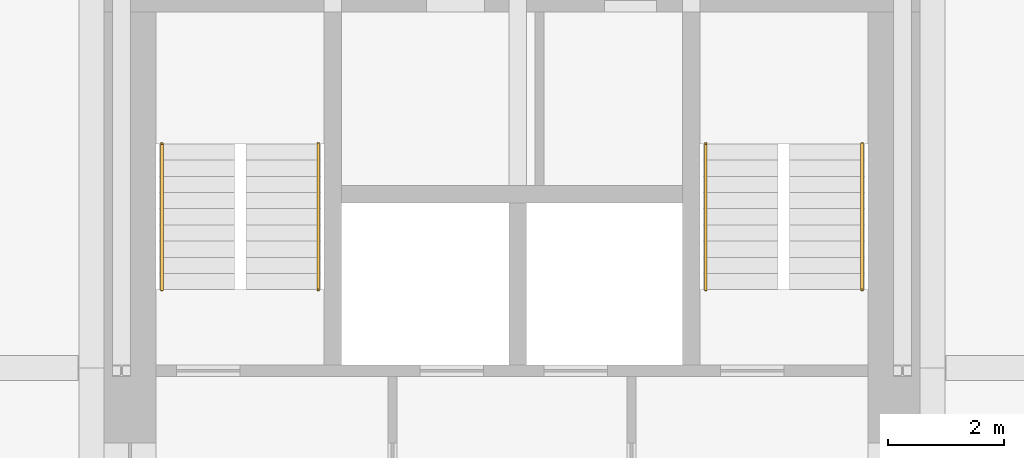
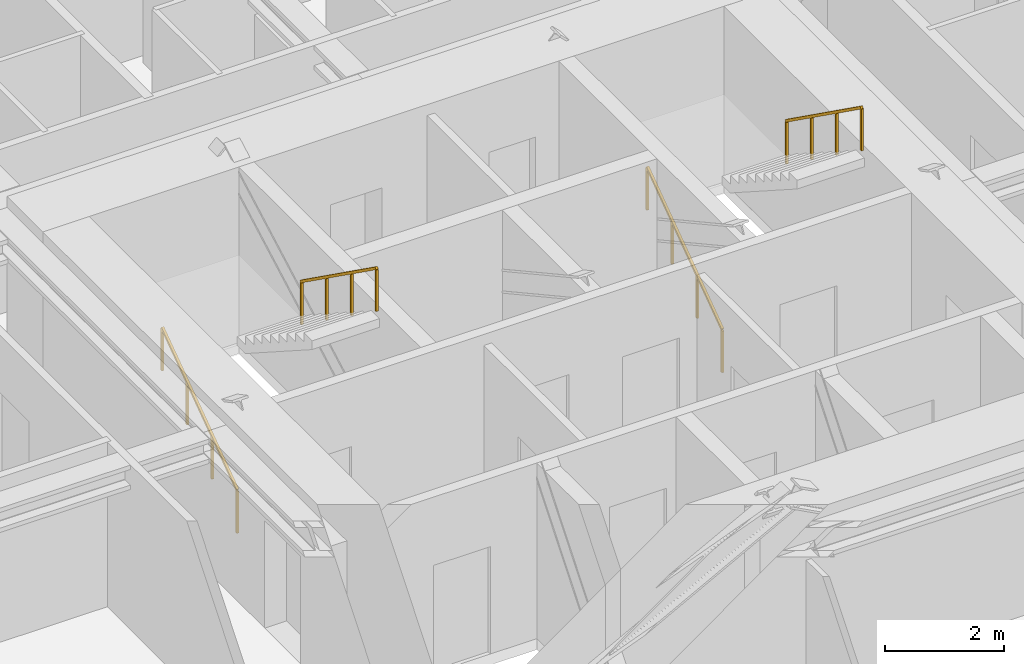
# One storey, part 8 of 8: 4 railings.
"""IFC4 building model written with IfcOpenShell, lengths in metres."""

from ifc_helpers import new_model, si_unit, direction, frame, origin, origin_2d, place, context, subcontext, project, spatial, rectangle, extrude, material, type_object, element, save


model = new_model("IFC4")

# Units and contexts
model_context = context("Model", 3, precision=1e-05, world=origin(), true_north=direction((0.0, 1.0)))
body_context = subcontext(model_context, "Body", "Model", "MODEL_VIEW")
ifc_project = project(units=[si_unit("LENGTHUNIT", "METRE"), si_unit("AREAUNIT", "SQUARE_METRE"), si_unit("VOLUMEUNIT", "CUBIC_METRE"), si_unit("PLANEANGLEUNIT", "RADIAN"), si_unit("MASSUNIT", "GRAM", prefix="KILO")], contexts=[model_context])

# Site, building, storey
site_placement = place(None, origin())
site = spatial("IfcSite", under=ifc_project, at=site_placement, CompositionType="ELEMENT")
building_placement = place(site_placement, origin())
building = spatial("IfcBuilding", under=site, at=building_placement, Name="Nyansa Garden Tower", CompositionType="ELEMENT")
storey_placement = place(building_placement, frame((0.0, 0.0, 222.300048828125)))
storey = spatial("IfcBuildingStorey", under=building, at=storey_placement, Name="L60", CompositionType="ELEMENT", Elevation=222.300048828125)

# Railings
ifc_material = material(Name="Black powder-coated steel tube 48 mm", Category="steel")
railing_type = type_object("IfcRailingType", Name="Stair handrail HR1", PredefinedType="HANDRAIL", material=ifc_material)
railing_1_placement = place(storey_placement, frame((14.199951171875, 21.60009765625, 0.0)))
element("IfcRailing", 1, at=railing_1_placement, inside=storey, type_object=railing_type, Name="Stair S1 handrail L60", PredefinedType="HANDRAIL", context=body_context, shape_type="SweptSolid", body=[
    extrude(rectangle(XDim=0.048095703125, YDim=0.048095703125, at=origin_2d()), frame((0.0, 0.0, 0.8759765625), z_axis=(0.0, 0.813728144527, 0.581245650998), x_axis=(-1.0, 0.0, 0.0)), (0.0, 0.0, 1.0), 3.096923828125),
    extrude(rectangle(XDim=0.0419921875, YDim=0.0419921875, at=origin_2d()), origin(), (0.0, 0.0, 1.0), 0.851806640625),
    extrude(rectangle(XDim=0.0419921875, YDim=0.0419921875, at=origin_2d()), frame((0.0, 0.840087890625, 0.60009765625)), (0.0, 0.0, 1.0), 0.851806640625),
    extrude(rectangle(XDim=0.0419921875, YDim=0.0419921875, at=origin_2d()), frame((0.0, 1.679931640625, 1.199951171875)), (0.0, 0.0, 1.0), 0.851806640625),
    extrude(rectangle(XDim=0.0419921875, YDim=0.0419921875, at=origin_2d()), frame((0.0, 2.52001953125, 1.800048828125)), (0.0, 0.0, 1.0), 0.851806640625),
])
railing_2_placement = place(storey_placement, frame((16.89990234375, 24.1201171875, 1.800048828125)))
element("IfcRailing", 2, at=railing_2_placement, inside=storey, type_object=railing_type, Name="Stair S1 handrail L60", PredefinedType="HANDRAIL", context=body_context, shape_type="SweptSolid", body=[
    extrude(rectangle(XDim=0.048095703125, YDim=0.048095703125, at=origin_2d()), frame((0.0, 0.0, 0.8759765625), z_axis=(0.0, -0.813765431312, 0.581193446971), x_axis=(1.0, 0.0, 0.0)), (0.0, 0.0, 1.0), 3.0966796875),
    extrude(rectangle(XDim=0.0419921875, YDim=0.0419921875, at=origin_2d()), origin(), (0.0, 0.0, 1.0), 0.851806640625),
    extrude(rectangle(XDim=0.0419921875, YDim=0.0419921875, at=origin_2d()), frame((0.0, -0.840087890625, 0.599853515625)), (0.0, 0.0, 1.0), 0.851806640625),
    extrude(rectangle(XDim=0.0419921875, YDim=0.0419921875, at=origin_2d()), frame((0.0, -1.679931640625, 1.199951171875)), (0.0, 0.0, 1.0), 0.851806640625),
    extrude(rectangle(XDim=0.0419921875, YDim=0.0419921875, at=origin_2d()), frame((0.0, -2.52001953125, 1.7998046875)), (0.0, 0.0, 1.0), 0.851806640625),
])
railing_3_placement = place(storey_placement, frame((23.60009765625, 21.60009765625, 0.0)))
element("IfcRailing", 3, at=railing_3_placement, inside=storey, type_object=railing_type, Name="Stair S2 handrail L60", PredefinedType="HANDRAIL", context=body_context, shape_type="SweptSolid", body=[
    extrude(rectangle(XDim=0.048095703125, YDim=0.048095703125, at=origin_2d()), frame((0.0, 0.0, 0.8759765625), z_axis=(0.0, 0.813728144527, 0.581245650998), x_axis=(-1.0, 0.0, 0.0)), (0.0, 0.0, 1.0), 3.096923828125),
    extrude(rectangle(XDim=0.0419921875, YDim=0.0419921875, at=origin_2d()), origin(), (0.0, 0.0, 1.0), 0.851806640625),
    extrude(rectangle(XDim=0.0419921875, YDim=0.0419921875, at=origin_2d()), frame((0.0, 0.840087890625, 0.60009765625)), (0.0, 0.0, 1.0), 0.851806640625),
    extrude(rectangle(XDim=0.0419921875, YDim=0.0419921875, at=origin_2d()), frame((0.0, 1.679931640625, 1.199951171875)), (0.0, 0.0, 1.0), 0.851806640625),
    extrude(rectangle(XDim=0.0419921875, YDim=0.0419921875, at=origin_2d()), frame((0.0, 2.52001953125, 1.800048828125)), (0.0, 0.0, 1.0), 0.851806640625),
])
railing_4_placement = place(storey_placement, frame((26.300048828125, 24.1201171875, 1.800048828125)))
element("IfcRailing", 4, at=railing_4_placement, inside=storey, type_object=railing_type, Name="Stair S2 handrail L60", PredefinedType="HANDRAIL", context=body_context, shape_type="SweptSolid", body=[
    extrude(rectangle(XDim=0.048095703125, YDim=0.048095703125, at=origin_2d()), frame((0.0, 0.0, 0.8759765625), z_axis=(0.0, -0.813765431312, 0.581193446971), x_axis=(1.0, 0.0, 0.0)), (0.0, 0.0, 1.0), 3.0966796875),
    extrude(rectangle(XDim=0.0419921875, YDim=0.0419921875, at=origin_2d()), origin(), (0.0, 0.0, 1.0), 0.851806640625),
    extrude(rectangle(XDim=0.0419921875, YDim=0.0419921875, at=origin_2d()), frame((0.0, -0.840087890625, 0.599853515625)), (0.0, 0.0, 1.0), 0.851806640625),
    extrude(rectangle(XDim=0.0419921875, YDim=0.0419921875, at=origin_2d()), frame((0.0, -1.679931640625, 1.199951171875)), (0.0, 0.0, 1.0), 0.851806640625),
    extrude(rectangle(XDim=0.0419921875, YDim=0.0419921875, at=origin_2d()), frame((0.0, -2.52001953125, 1.7998046875)), (0.0, 0.0, 1.0), 0.851806640625),
])

save(model, "model.ifc")
